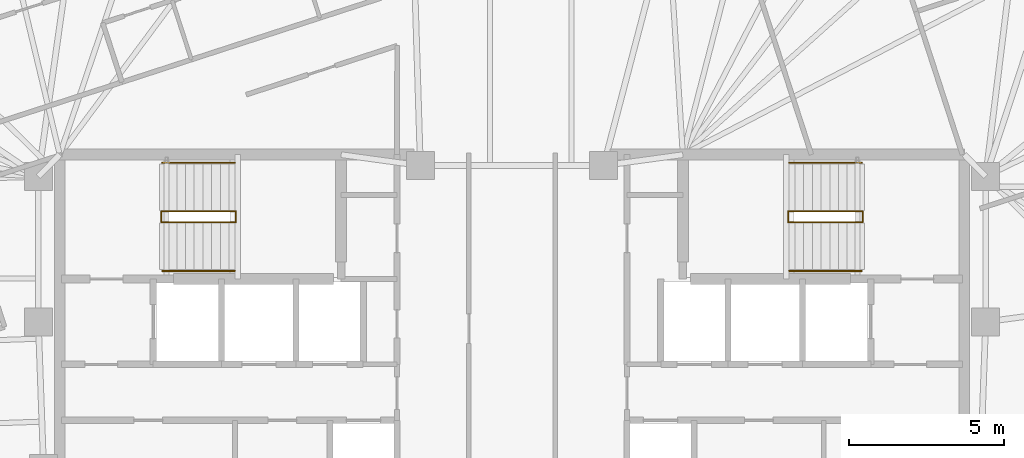
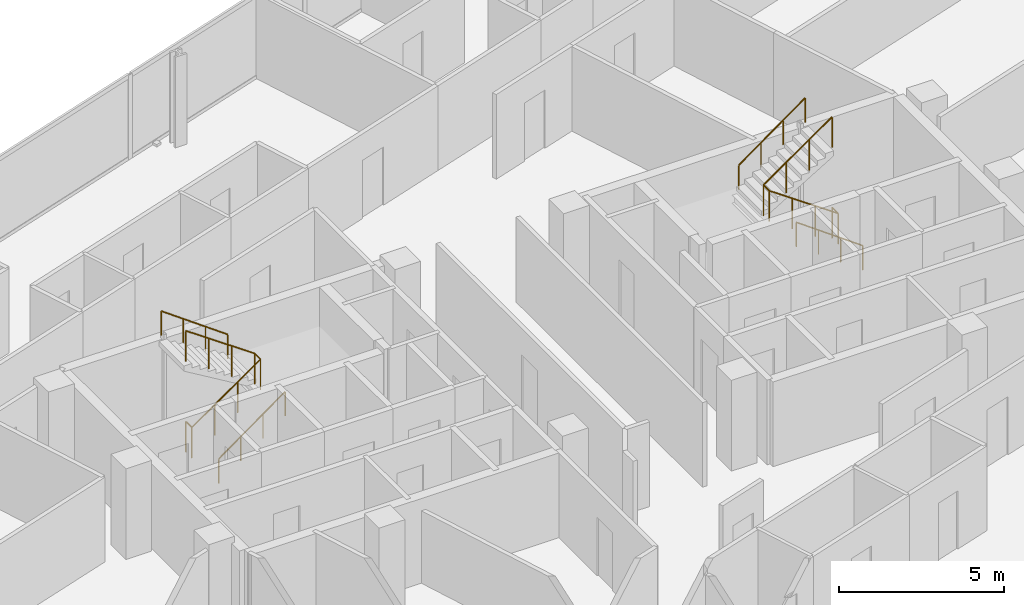
# One storey, part 20 of 20: 6 railings.
"""IFC4 building model written with IfcOpenShell, lengths in metres."""

from ifc_helpers import new_model, si_unit, direction, frame, origin, origin_2d, place, context, subcontext, project, spatial, circle, extrude, material, type_object, element, save


model = new_model("IFC4")

# Units and contexts
model_context = context("Model", 3, precision=1e-05, world=origin(), true_north=direction((0.0, 1.0)))
body_context = subcontext(model_context, "Body", "Model", "MODEL_VIEW")
ifc_project = project(units=[si_unit("LENGTHUNIT", "METRE"), si_unit("AREAUNIT", "SQUARE_METRE"), si_unit("VOLUMEUNIT", "CUBIC_METRE"), si_unit("PLANEANGLEUNIT", "RADIAN"), si_unit("MASSUNIT", "GRAM", prefix="KILO")], contexts=[model_context])

# Site, building, storey
site_placement = place(None, origin())
site = spatial("IfcSite", under=ifc_project, at=site_placement, CompositionType="ELEMENT")
building_placement = place(site_placement, origin())
building = spatial("IfcBuilding", under=site, at=building_placement, Name="Menara Jurai Vektor", CompositionType="ELEMENT")
storey_placement = place(building_placement, frame((0.0, 0.0, 217.60009765625)))
storey = spatial("IfcBuildingStorey", under=building, at=storey_placement, Name="L57", CompositionType="ELEMENT", Elevation=217.60009765625)

# Railings
ifc_material_1 = material(Name="Painted Galvanised Steel Balustrade", Category="steel")
railing_type_1 = type_object("IfcRailingType", Name="RAIL-STAIR-GUARD", PredefinedType="GUARDRAIL", material=ifc_material_1)
railing_1_placement = place(storey_placement, frame((-11.2900390625, 3.780029296875, 0.0)))
element("IfcRailing", 1, at=railing_1_placement, inside=storey, type_object=railing_type_1, Name="ST1 Stair Guardrail 1 L57", PredefinedType="GUARDRAIL", context=body_context, shape_type="SweptSolid", body=[
    extrude(circle(Radius=0.02392578125, at=origin_2d()), frame((0.0, 0.0, 1.1259765625), z_axis=(0.0, -1.0, 0.0), x_axis=(1.0, 0.0, 0.0)), (0.0, 0.0, 1.0), 0.360107421875),
    extrude(circle(Radius=0.02392578125, at=origin_2d()), frame((0.0, -0.360107421875, 1.1259765625), z_axis=(0.820081434478, 0.0, 0.572246835573), x_axis=(0.0, 1.0, 0.0)), (0.0, 0.0, 1.0), 2.9267578125),
    extrude(circle(Radius=0.02392578125, at=origin_2d()), frame((2.400146484375, -0.360107421875, 2.80078125), z_axis=(0.0, 1.0, 0.0), x_axis=(-1.0, 0.0, 0.0)), (0.0, 0.0, 1.0), 0.360107421875),
    extrude(circle(Radius=0.02392578125, at=origin_2d()), frame((2.400146484375, 0.0, 2.80078125), z_axis=(-0.820042287322, 0.0, 0.572302932898), x_axis=(0.0, -1.0, 0.0)), (0.0, 0.0, 1.0), 2.9267578125),
    extrude(circle(Radius=0.02099609375, at=origin_2d()), origin(), (0.0, 0.0, 1.0), 1.101806640625),
    extrude(circle(Radius=0.02099609375, at=origin_2d()), frame((0.0, -0.360107421875, 0.0)), (0.0, 0.0, 1.0), 1.101806640625),
    extrude(circle(Radius=0.02099609375, at=origin_2d()), frame((0.800048828125, -0.360107421875, 0.558349609375)), (0.0, 0.0, 1.0), 1.101806640625),
    extrude(circle(Radius=0.02099609375, at=origin_2d()), frame((1.60009765625, -0.360107421875, 1.116455078125)), (0.0, 0.0, 1.0), 1.101806640625),
    extrude(circle(Radius=0.02099609375, at=origin_2d()), frame((2.400146484375, -0.360107421875, 1.6748046875)), (0.0, 0.0, 1.0), 1.101806640625),
    extrude(circle(Radius=0.02099609375, at=origin_2d()), frame((2.400146484375, 0.0, 1.6748046875)), (0.0, 0.0, 1.0), 1.101806640625),
    extrude(circle(Radius=0.02099609375, at=origin_2d()), frame((1.60009765625, 0.0, 2.233154296875)), (0.0, 0.0, 1.0), 1.101806640625),
    extrude(circle(Radius=0.02099609375, at=origin_2d()), frame((0.800048828125, 0.0, 2.79150390625)), (0.0, 0.0, 1.0), 1.101806640625),
    extrude(circle(Radius=0.02099609375, at=origin_2d()), frame((0.0, 0.0, 3.349853515625)), (0.0, 0.0, 1.0), 1.101806640625),
])
railing_2_placement = place(storey_placement, frame((11.2900390625, 3.780029296875, 0.0)))
element("IfcRailing", 2, at=railing_2_placement, inside=storey, type_object=railing_type_1, Name="ST2 Stair Guardrail 1 L57", PredefinedType="GUARDRAIL", context=body_context, shape_type="SweptSolid", body=[
    extrude(circle(Radius=0.02392578125, at=origin_2d()), frame((0.0, 0.0, 1.1259765625), z_axis=(0.0, -1.0, 0.0), x_axis=(1.0, 0.0, 0.0)), (0.0, 0.0, 1.0), 0.360107421875),
    extrude(circle(Radius=0.02392578125, at=origin_2d()), frame((0.0, -0.360107421875, 1.1259765625), z_axis=(-0.820081434478, 0.0, 0.572246835573), x_axis=(0.0, -1.0, 0.0)), (0.0, 0.0, 1.0), 2.9267578125),
    extrude(circle(Radius=0.02392578125, at=origin_2d()), frame((-2.400146484375, -0.360107421875, 2.80078125), z_axis=(0.0, 1.0, 0.0), x_axis=(-1.0, 0.0, 0.0)), (0.0, 0.0, 1.0), 0.360107421875),
    extrude(circle(Radius=0.02392578125, at=origin_2d()), frame((-2.400146484375, 0.0, 2.80078125), z_axis=(0.820042287322, 0.0, 0.572302932898), x_axis=(0.0, 1.0, 0.0)), (0.0, 0.0, 1.0), 2.9267578125),
    extrude(circle(Radius=0.02099609375, at=origin_2d()), origin(), (0.0, 0.0, 1.0), 1.101806640625),
    extrude(circle(Radius=0.02099609375, at=origin_2d()), frame((0.0, -0.360107421875, 0.0)), (0.0, 0.0, 1.0), 1.101806640625),
    extrude(circle(Radius=0.02099609375, at=origin_2d()), frame((-0.800048828125, -0.360107421875, 0.558349609375)), (0.0, 0.0, 1.0), 1.101806640625),
    extrude(circle(Radius=0.02099609375, at=origin_2d()), frame((-1.60009765625, -0.360107421875, 1.116455078125)), (0.0, 0.0, 1.0), 1.101806640625),
    extrude(circle(Radius=0.02099609375, at=origin_2d()), frame((-2.400146484375, -0.360107421875, 1.6748046875)), (0.0, 0.0, 1.0), 1.101806640625),
    extrude(circle(Radius=0.02099609375, at=origin_2d()), frame((-2.400146484375, 0.0, 1.6748046875)), (0.0, 0.0, 1.0), 1.101806640625),
    extrude(circle(Radius=0.02099609375, at=origin_2d()), frame((-1.60009765625, 0.0, 2.233154296875)), (0.0, 0.0, 1.0), 1.101806640625),
    extrude(circle(Radius=0.02099609375, at=origin_2d()), frame((-0.800048828125, 0.0, 2.79150390625)), (0.0, 0.0, 1.0), 1.101806640625),
    extrude(circle(Radius=0.02099609375, at=origin_2d()), frame((0.0, 0.0, 3.349853515625)), (0.0, 0.0, 1.0), 1.101806640625),
])
ifc_material_2 = material(Name="Brushed Stainless Steel Handrail", Category="steel")
railing_type_2 = type_object("IfcRailingType", Name="RAIL-STAIR-HAND", PredefinedType="HANDRAIL", material=ifc_material_2)
railing_3_placement = place(storey_placement, frame((-11.25, 1.860107421875, 0.0)))
element("IfcRailing", 3, at=railing_3_placement, inside=storey, type_object=railing_type_2, Name="ST1 Stair Handrail 1 L57", PredefinedType="HANDRAIL", context=body_context, shape_type="SweptSolid", body=[
    extrude(circle(Radius=0.02392578125, at=origin_2d()), frame((0.0, 0.0, 0.89599609375), z_axis=(0.810811949412, 0.0, 0.585306742393), x_axis=(0.0, 1.0, 0.0)), (0.0, 0.0, 1.0), 2.861328125),
    extrude(circle(Radius=0.02099609375, at=origin_2d()), origin(), (0.0, 0.0, 1.0), 0.871826171875),
    extrude(circle(Radius=0.02099609375, at=origin_2d()), frame((0.7734375, 0.0, 0.558349609375)), (0.0, 0.0, 1.0), 0.871826171875),
    extrude(circle(Radius=0.02099609375, at=origin_2d()), frame((1.546630859375, 0.0, 1.116455078125)), (0.0, 0.0, 1.0), 0.871826171875),
    extrude(circle(Radius=0.02099609375, at=origin_2d()), frame((2.320068359375, 0.0, 1.6748046875)), (0.0, 0.0, 1.0), 0.871826171875),
])
railing_4_placement = place(storey_placement, frame((-8.929931640625, 5.340087890625, 1.6748046875)))
element("IfcRailing", 4, at=railing_4_placement, inside=storey, type_object=railing_type_2, Name="ST1 Stair Handrail 2 L57", PredefinedType="HANDRAIL", context=body_context, shape_type="SweptSolid", body=[
    extrude(circle(Radius=0.02392578125, at=origin_2d()), frame((0.0, 0.0, 0.89599609375), z_axis=(-0.810771458067, 0.0, 0.585362830032), x_axis=(0.0, -1.0, 0.0)), (0.0, 0.0, 1.0), 2.861572265625),
    extrude(circle(Radius=0.02099609375, at=origin_2d()), origin(), (0.0, 0.0, 1.0), 0.871826171875),
    extrude(circle(Radius=0.02099609375, at=origin_2d()), frame((-0.7734375, 0.0, 0.558349609375)), (0.0, 0.0, 1.0), 0.871826171875),
    extrude(circle(Radius=0.02099609375, at=origin_2d()), frame((-1.546630859375, 0.0, 1.11669921875)), (0.0, 0.0, 1.0), 0.871826171875),
    extrude(circle(Radius=0.02099609375, at=origin_2d()), frame((-2.320068359375, 0.0, 1.675048828125)), (0.0, 0.0, 1.0), 0.871826171875),
])
railing_5_placement = place(storey_placement, frame((11.25, 1.860107421875, 0.0)))
element("IfcRailing", 5, at=railing_5_placement, inside=storey, type_object=railing_type_2, Name="ST2 Stair Handrail 1 L57", PredefinedType="HANDRAIL", context=body_context, shape_type="SweptSolid", body=[
    extrude(circle(Radius=0.02392578125, at=origin_2d()), frame((0.0, 0.0, 0.89599609375), z_axis=(-0.810811949412, 0.0, 0.585306742393), x_axis=(0.0, -1.0, 0.0)), (0.0, 0.0, 1.0), 2.861328125),
    extrude(circle(Radius=0.02099609375, at=origin_2d()), origin(), (0.0, 0.0, 1.0), 0.871826171875),
    extrude(circle(Radius=0.02099609375, at=origin_2d()), frame((-0.7734375, 0.0, 0.558349609375)), (0.0, 0.0, 1.0), 0.871826171875),
    extrude(circle(Radius=0.02099609375, at=origin_2d()), frame((-1.546630859375, 0.0, 1.116455078125)), (0.0, 0.0, 1.0), 0.871826171875),
    extrude(circle(Radius=0.02099609375, at=origin_2d()), frame((-2.320068359375, 0.0, 1.6748046875)), (0.0, 0.0, 1.0), 0.871826171875),
])
railing_6_placement = place(storey_placement, frame((8.929931640625, 5.340087890625, 1.6748046875)))
element("IfcRailing", 6, at=railing_6_placement, inside=storey, type_object=railing_type_2, Name="ST2 Stair Handrail 2 L57", PredefinedType="HANDRAIL", context=body_context, shape_type="SweptSolid", body=[
    extrude(circle(Radius=0.02392578125, at=origin_2d()), frame((0.0, 0.0, 0.89599609375), z_axis=(0.810771458067, 0.0, 0.585362830032), x_axis=(0.0, 1.0, 0.0)), (0.0, 0.0, 1.0), 2.861572265625),
    extrude(circle(Radius=0.02099609375, at=origin_2d()), origin(), (0.0, 0.0, 1.0), 0.871826171875),
    extrude(circle(Radius=0.02099609375, at=origin_2d()), frame((0.7734375, 0.0, 0.558349609375)), (0.0, 0.0, 1.0), 0.871826171875),
    extrude(circle(Radius=0.02099609375, at=origin_2d()), frame((1.546630859375, 0.0, 1.11669921875)), (0.0, 0.0, 1.0), 0.871826171875),
    extrude(circle(Radius=0.02099609375, at=origin_2d()), frame((2.320068359375, 0.0, 1.675048828125)), (0.0, 0.0, 1.0), 0.871826171875),
])

save(model, "model.ifc")
